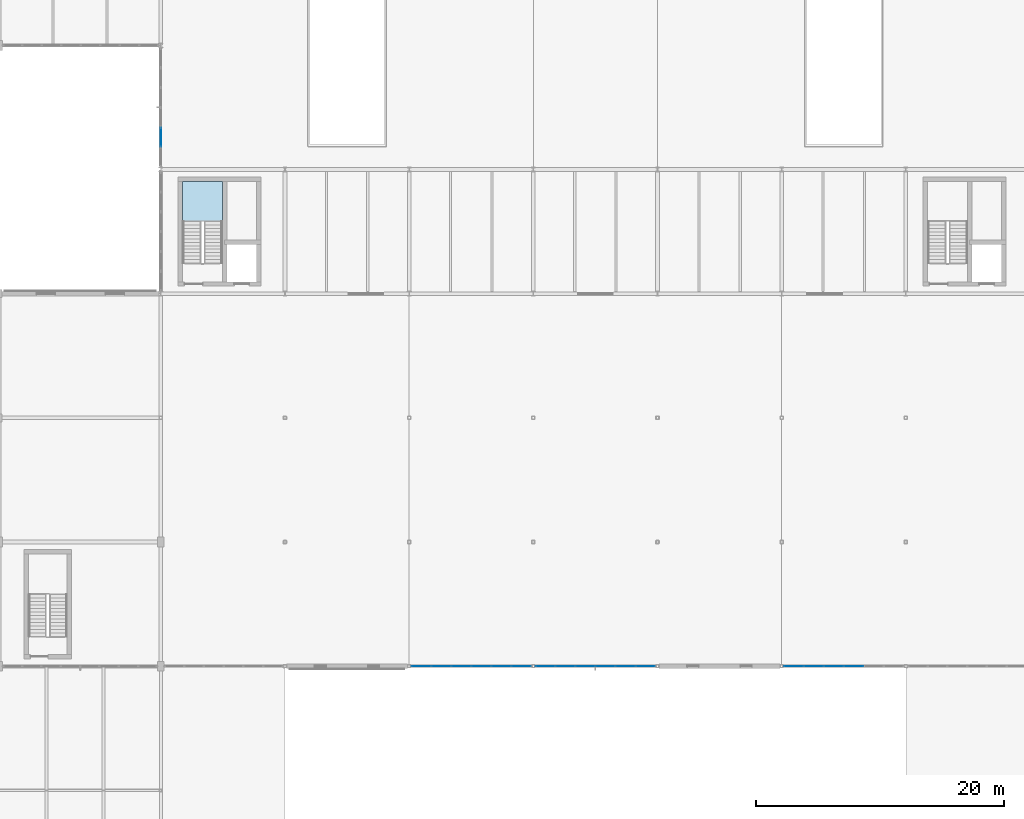
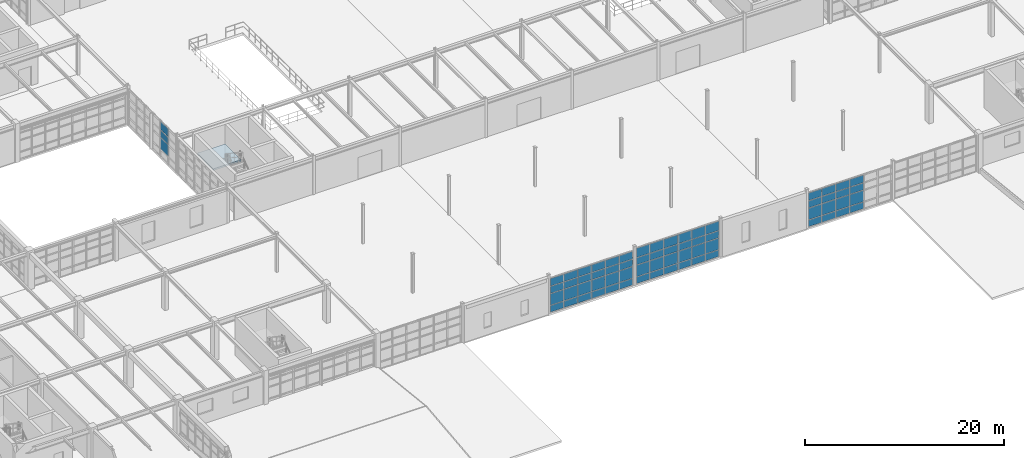
# One storey, part 86 of 139: 67 plates, 1 slab, 5 elements without a shape of their own.
"""IFC4 building model written with IfcOpenShell, lengths in metres."""

from ifc_helpers import new_model, si_unit, direction, frame, origin, origin_2d, place, context, subcontext, project, spatial, polyline, rectangle, outline, extrude, material, layer, layer_set, type_object, element, aggregate, save


model = new_model("IFC4")

# Units and contexts
model_context = context("Model", 3, precision=1e-05, world=origin(), true_north=direction((0.0, 1.0)))
body_context = subcontext(model_context, "Body", "Model", "MODEL_VIEW")
ifc_project = project(units=[si_unit("LENGTHUNIT", "METRE"), si_unit("AREAUNIT", "SQUARE_METRE"), si_unit("VOLUMEUNIT", "CUBIC_METRE"), si_unit("PLANEANGLEUNIT", "RADIAN"), si_unit("MASSUNIT", "GRAM", prefix="KILO"), si_unit("THERMODYNAMICTEMPERATUREUNIT", "KELVIN"), si_unit("POWERUNIT", "WATT")], contexts=[model_context])

# Site, building, storey
site_placement = place(None, origin())
site = spatial("IfcSite", under=ifc_project, at=site_placement, CompositionType="ELEMENT")
building_placement = place(site_placement, origin())
building = spatial("IfcBuilding", under=site, at=building_placement, Name="Korenveer Ferry Terminal", CompositionType="ELEMENT")
storey_placement = place(building_placement, frame((0.0, 0.0, 5.39990234375)))
storey = spatial("IfcBuildingStorey", under=building, at=storey_placement, Name="L01", CompositionType="ELEMENT", Elevation=5.39990234375)

# Curtain wall, plates
ifc_material_1 = material(Name="Unitised bronze-and-glass curtain wall", Category="glass")
ifc_layer_1 = layer(ifc_material_1, 0.159912109375)
ifc_layer_set_1 = layer_set([ifc_layer_1], Name="Unitised bronze-and-glass curtain wall")
curtain_wall_type_1 = type_object("IfcCurtainWallType", Name="ENV-CW-40", PredefinedType="USERDEFINED", material=ifc_layer_set_1)
curtain_wall_1_placement = place(storey_placement, frame((73.155029296875, 20.0, 0.0)))
curtain_wall_1 = element("IfcCurtainWall", 1, at=curtain_wall_1_placement, inside=storey, type_object=curtain_wall_type_1, Name="Lancet curtain wall CWX-L01-X73-83-Y20-20", ObjectType="UNITISED CURTAIN WALL", PredefinedType="USERDEFINED")
ifc_material_2 = material(Name="Low-iron solar-control double glazing", Category="glass")
ifc_layer_2 = layer(ifc_material_2, 0.028076171875)
ifc_layer_set_2 = layer_set([ifc_layer_2], Name="Low-iron solar-control double glazing")
plate_type_1 = type_object("IfcPlateType", Name="ENV-CWP-GLZ28", PredefinedType="CURTAIN_PANEL", material=ifc_layer_set_2)
plate_1_placement = place(storey_placement, frame((73.9775390625, 20.0, 0.06005859375), z_axis=(0.0, 0.0, 1.0), x_axis=(1.0, 0.0, 0.0)))
plate_1 = element("IfcPlate", 2, at=plate_1_placement, type_object=plate_type_1, Name="CW-40 panel 1.1", PredefinedType="CURTAIN_PANEL", context=body_context, shape_type="SweptSolid", body=[
    extrude(rectangle(XDim=1.52490234375, YDim=0.028076171875, at=origin_2d()), origin(), (0.0, 0.0, 1.0), 0.81005859375),
])
plate_2_placement = place(storey_placement, frame((73.9775390625, 20.0, 0.93017578125), z_axis=(0.0, 0.0, 1.0), x_axis=(1.0, 0.0, 0.0)))
plate_2 = element("IfcPlate", 3, at=plate_2_placement, type_object=plate_type_1, Name="CW-40 panel 1.2", PredefinedType="CURTAIN_PANEL", context=body_context, shape_type="SweptSolid", body=[
    extrude(rectangle(XDim=1.52490234375, YDim=0.028076171875, at=origin_2d()), origin(), (0.0, 0.0, 1.0), 1.389892578125),
])
plate_3_placement = place(storey_placement, frame((73.9775390625, 20.0, 2.3798828125), z_axis=(0.0, 0.0, 1.0), x_axis=(1.0, 0.0, 0.0)))
plate_3 = element("IfcPlate", 4, at=plate_3_placement, type_object=plate_type_1, Name="CW-40 panel 1.3", PredefinedType="CURTAIN_PANEL", context=body_context, shape_type="SweptSolid", body=[
    extrude(rectangle(XDim=1.52490234375, YDim=0.028076171875, at=origin_2d()), origin(), (0.0, 0.0, 1.0), 0.840087890625),
])
plate_4_placement = place(storey_placement, frame((73.9775390625, 20.0, 3.280029296875), z_axis=(0.0, 0.0, 1.0), x_axis=(1.0, 0.0, 0.0)))
plate_4 = element("IfcPlate", 5, at=plate_4_placement, type_object=plate_type_1, Name="CW-40 panel 1.4", PredefinedType="CURTAIN_PANEL", context=body_context, shape_type="SweptSolid", body=[
    extrude(rectangle(XDim=1.52490234375, YDim=0.028076171875, at=origin_2d()), origin(), (0.0, 0.0, 1.0), 0.919921875),
])
plate_5_placement = place(storey_placement, frame((75.577392578125, 20.0, 0.06005859375), z_axis=(0.0, 0.0, 1.0), x_axis=(1.0, 0.0, 0.0)))
plate_5 = element("IfcPlate", 6, at=plate_5_placement, type_object=plate_type_1, Name="CW-40 panel 2.1", PredefinedType="CURTAIN_PANEL", context=body_context, shape_type="SweptSolid", body=[
    extrude(rectangle(XDim=1.554931640625, YDim=0.028076171875, at=origin_2d()), origin(), (0.0, 0.0, 1.0), 0.81005859375),
])
plate_6_placement = place(storey_placement, frame((75.577392578125, 20.0, 0.93017578125), z_axis=(0.0, 0.0, 1.0), x_axis=(1.0, 0.0, 0.0)))
plate_6 = element("IfcPlate", 7, at=plate_6_placement, type_object=plate_type_1, Name="CW-40 panel 2.2", PredefinedType="CURTAIN_PANEL", context=body_context, shape_type="SweptSolid", body=[
    extrude(rectangle(XDim=1.554931640625, YDim=0.028076171875, at=origin_2d()), origin(), (0.0, 0.0, 1.0), 1.389892578125),
])
plate_7_placement = place(storey_placement, frame((75.577392578125, 20.0, 2.3798828125), z_axis=(0.0, 0.0, 1.0), x_axis=(1.0, 0.0, 0.0)))
plate_7 = element("IfcPlate", 8, at=plate_7_placement, type_object=plate_type_1, Name="CW-40 panel 2.3", PredefinedType="CURTAIN_PANEL", context=body_context, shape_type="SweptSolid", body=[
    extrude(rectangle(XDim=1.554931640625, YDim=0.028076171875, at=origin_2d()), origin(), (0.0, 0.0, 1.0), 0.840087890625),
])
plate_8_placement = place(storey_placement, frame((75.577392578125, 20.0, 3.280029296875), z_axis=(0.0, 0.0, 1.0), x_axis=(1.0, 0.0, 0.0)))
plate_8 = element("IfcPlate", 9, at=plate_8_placement, type_object=plate_type_1, Name="CW-40 panel 2.4", PredefinedType="CURTAIN_PANEL", context=body_context, shape_type="SweptSolid", body=[
    extrude(rectangle(XDim=1.554931640625, YDim=0.028076171875, at=origin_2d()), origin(), (0.0, 0.0, 1.0), 0.919921875),
])
plate_9_placement = place(storey_placement, frame((77.1923828125, 20.0, 0.06005859375), z_axis=(0.0, 0.0, 1.0), x_axis=(1.0, 0.0, 0.0)))
plate_9 = element("IfcPlate", 10, at=plate_9_placement, type_object=plate_type_1, Name="CW-40 panel 3.1", PredefinedType="CURTAIN_PANEL", context=body_context, shape_type="SweptSolid", body=[
    extrude(rectangle(XDim=1.554931640625, YDim=0.028076171875, at=origin_2d()), origin(), (0.0, 0.0, 1.0), 0.81005859375),
])
plate_10_placement = place(storey_placement, frame((77.1923828125, 20.0, 0.93017578125), z_axis=(0.0, 0.0, 1.0), x_axis=(1.0, 0.0, 0.0)))
plate_10 = element("IfcPlate", 11, at=plate_10_placement, type_object=plate_type_1, Name="CW-40 panel 3.2", PredefinedType="CURTAIN_PANEL", context=body_context, shape_type="SweptSolid", body=[
    extrude(rectangle(XDim=1.554931640625, YDim=0.028076171875, at=origin_2d()), origin(), (0.0, 0.0, 1.0), 1.389892578125),
])
plate_11_placement = place(storey_placement, frame((77.1923828125, 20.0, 2.3798828125), z_axis=(0.0, 0.0, 1.0), x_axis=(1.0, 0.0, 0.0)))
plate_11 = element("IfcPlate", 12, at=plate_11_placement, type_object=plate_type_1, Name="CW-40 panel 3.3", PredefinedType="CURTAIN_PANEL", context=body_context, shape_type="SweptSolid", body=[
    extrude(rectangle(XDim=1.554931640625, YDim=0.028076171875, at=origin_2d()), origin(), (0.0, 0.0, 1.0), 0.840087890625),
])
plate_12_placement = place(storey_placement, frame((77.1923828125, 20.0, 3.280029296875), z_axis=(0.0, 0.0, 1.0), x_axis=(1.0, 0.0, 0.0)))
plate_12 = element("IfcPlate", 13, at=plate_12_placement, type_object=plate_type_1, Name="CW-40 panel 3.4", PredefinedType="CURTAIN_PANEL", context=body_context, shape_type="SweptSolid", body=[
    extrude(rectangle(XDim=1.554931640625, YDim=0.028076171875, at=origin_2d()), origin(), (0.0, 0.0, 1.0), 0.919921875),
])
plate_13_placement = place(storey_placement, frame((78.8076171875, 20.0, 0.06005859375), z_axis=(0.0, 0.0, 1.0), x_axis=(1.0, 0.0, 0.0)))
plate_13 = element("IfcPlate", 14, at=plate_13_placement, type_object=plate_type_1, Name="CW-40 panel 4.1", PredefinedType="CURTAIN_PANEL", context=body_context, shape_type="SweptSolid", body=[
    extrude(rectangle(XDim=1.554931640625, YDim=0.028076171875, at=origin_2d()), origin(), (0.0, 0.0, 1.0), 0.81005859375),
])
plate_14_placement = place(storey_placement, frame((78.8076171875, 20.0, 0.93017578125), z_axis=(0.0, 0.0, 1.0), x_axis=(1.0, 0.0, 0.0)))
plate_14 = element("IfcPlate", 15, at=plate_14_placement, type_object=plate_type_1, Name="CW-40 panel 4.2", PredefinedType="CURTAIN_PANEL", context=body_context, shape_type="SweptSolid", body=[
    extrude(rectangle(XDim=1.554931640625, YDim=0.028076171875, at=origin_2d()), origin(), (0.0, 0.0, 1.0), 1.389892578125),
])
plate_15_placement = place(storey_placement, frame((78.8076171875, 20.0, 2.3798828125), z_axis=(0.0, 0.0, 1.0), x_axis=(1.0, 0.0, 0.0)))
plate_15 = element("IfcPlate", 16, at=plate_15_placement, type_object=plate_type_1, Name="CW-40 panel 4.3", PredefinedType="CURTAIN_PANEL", context=body_context, shape_type="SweptSolid", body=[
    extrude(rectangle(XDim=1.554931640625, YDim=0.028076171875, at=origin_2d()), origin(), (0.0, 0.0, 1.0), 0.840087890625),
])
plate_16_placement = place(storey_placement, frame((78.8076171875, 20.0, 3.280029296875), z_axis=(0.0, 0.0, 1.0), x_axis=(1.0, 0.0, 0.0)))
plate_16 = element("IfcPlate", 17, at=plate_16_placement, type_object=plate_type_1, Name="CW-40 panel 4.4", PredefinedType="CURTAIN_PANEL", context=body_context, shape_type="SweptSolid", body=[
    extrude(rectangle(XDim=1.554931640625, YDim=0.028076171875, at=origin_2d()), origin(), (0.0, 0.0, 1.0), 0.919921875),
])
plate_17_placement = place(storey_placement, frame((80.422607421875, 20.0, 0.06005859375), z_axis=(0.0, 0.0, 1.0), x_axis=(1.0, 0.0, 0.0)))
plate_17 = element("IfcPlate", 18, at=plate_17_placement, type_object=plate_type_1, Name="CW-40 panel 5.1", PredefinedType="CURTAIN_PANEL", context=body_context, shape_type="SweptSolid", body=[
    extrude(rectangle(XDim=1.554931640625, YDim=0.028076171875, at=origin_2d()), origin(), (0.0, 0.0, 1.0), 0.81005859375),
])
plate_18_placement = place(storey_placement, frame((80.422607421875, 20.0, 0.93017578125), z_axis=(0.0, 0.0, 1.0), x_axis=(1.0, 0.0, 0.0)))
plate_18 = element("IfcPlate", 19, at=plate_18_placement, type_object=plate_type_1, Name="CW-40 panel 5.2", PredefinedType="CURTAIN_PANEL", context=body_context, shape_type="SweptSolid", body=[
    extrude(rectangle(XDim=1.554931640625, YDim=0.028076171875, at=origin_2d()), origin(), (0.0, 0.0, 1.0), 1.389892578125),
])
plate_19_placement = place(storey_placement, frame((80.422607421875, 20.0, 2.3798828125), z_axis=(0.0, 0.0, 1.0), x_axis=(1.0, 0.0, 0.0)))
plate_19 = element("IfcPlate", 20, at=plate_19_placement, type_object=plate_type_1, Name="CW-40 panel 5.3", PredefinedType="CURTAIN_PANEL", context=body_context, shape_type="SweptSolid", body=[
    extrude(rectangle(XDim=1.554931640625, YDim=0.028076171875, at=origin_2d()), origin(), (0.0, 0.0, 1.0), 0.840087890625),
])
plate_20_placement = place(storey_placement, frame((80.422607421875, 20.0, 3.280029296875), z_axis=(0.0, 0.0, 1.0), x_axis=(1.0, 0.0, 0.0)))
plate_20 = element("IfcPlate", 21, at=plate_20_placement, type_object=plate_type_1, Name="CW-40 panel 5.4", PredefinedType="CURTAIN_PANEL", context=body_context, shape_type="SweptSolid", body=[
    extrude(rectangle(XDim=1.554931640625, YDim=0.028076171875, at=origin_2d()), origin(), (0.0, 0.0, 1.0), 0.919921875),
])
plate_21_placement = place(storey_placement, frame((82.0224609375, 20.0, 0.06005859375), z_axis=(0.0, 0.0, 1.0), x_axis=(1.0, 0.0, 0.0)))
plate_21 = element("IfcPlate", 22, at=plate_21_placement, type_object=plate_type_1, Name="CW-40 panel 6.1", PredefinedType="CURTAIN_PANEL", context=body_context, shape_type="SweptSolid", body=[
    extrude(rectangle(XDim=1.52490234375, YDim=0.028076171875, at=origin_2d()), origin(), (0.0, 0.0, 1.0), 0.81005859375),
])
plate_22_placement = place(storey_placement, frame((82.0224609375, 20.0, 0.93017578125), z_axis=(0.0, 0.0, 1.0), x_axis=(1.0, 0.0, 0.0)))
plate_22 = element("IfcPlate", 23, at=plate_22_placement, type_object=plate_type_1, Name="CW-40 panel 6.2", PredefinedType="CURTAIN_PANEL", context=body_context, shape_type="SweptSolid", body=[
    extrude(rectangle(XDim=1.52490234375, YDim=0.028076171875, at=origin_2d()), origin(), (0.0, 0.0, 1.0), 1.389892578125),
])
plate_23_placement = place(storey_placement, frame((82.0224609375, 20.0, 2.3798828125), z_axis=(0.0, 0.0, 1.0), x_axis=(1.0, 0.0, 0.0)))
plate_23 = element("IfcPlate", 24, at=plate_23_placement, type_object=plate_type_1, Name="CW-40 panel 6.3", PredefinedType="CURTAIN_PANEL", context=body_context, shape_type="SweptSolid", body=[
    extrude(rectangle(XDim=1.52490234375, YDim=0.028076171875, at=origin_2d()), origin(), (0.0, 0.0, 1.0), 0.840087890625),
])
plate_24_placement = place(storey_placement, frame((82.0224609375, 20.0, 3.280029296875), z_axis=(0.0, 0.0, 1.0), x_axis=(1.0, 0.0, 0.0)))
plate_24 = element("IfcPlate", 25, at=plate_24_placement, type_object=plate_type_1, Name="CW-40 panel 6.4", PredefinedType="CURTAIN_PANEL", context=body_context, shape_type="SweptSolid", body=[
    extrude(rectangle(XDim=1.52490234375, YDim=0.028076171875, at=origin_2d()), origin(), (0.0, 0.0, 1.0), 0.919921875),
])
aggregate(curtain_wall_1, [plate_1, plate_2, plate_3, plate_4, plate_5, plate_6, plate_7, plate_8, plate_9, plate_10, plate_11, plate_12, plate_13, plate_14, plate_15, plate_16, plate_17, plate_18, plate_19, plate_20, plate_21, plate_22, plate_23, plate_24])

ifc_layer_3 = layer(ifc_material_1, 0.159912109375)
ifc_layer_set_3 = layer_set([ifc_layer_3], Name="Unitised bronze-and-glass curtain wall")
curtain_wall_type_2 = type_object("IfcCurtainWallType", Name="ENV-CW-41", PredefinedType="USERDEFINED", material=ifc_layer_set_3)
curtain_wall_2_placement = place(storey_placement, frame((83.155029296875, 20.0, 0.0)))
curtain_wall_2 = element("IfcCurtainWall", 26, at=curtain_wall_2_placement, inside=storey, type_object=curtain_wall_type_2, Name="Lancet curtain wall CWX-L01-X83-93-Y20-20", ObjectType="UNITISED CURTAIN WALL", PredefinedType="USERDEFINED")
plate_25_placement = place(storey_placement, frame((83.9775390625, 20.0, 0.06005859375), z_axis=(0.0, 0.0, 1.0), x_axis=(1.0, 0.0, 0.0)))
plate_25 = element("IfcPlate", 27, at=plate_25_placement, type_object=plate_type_1, Name="CW-41 panel 1.1", PredefinedType="CURTAIN_PANEL", context=body_context, shape_type="SweptSolid", body=[
    extrude(rectangle(XDim=1.52490234375, YDim=0.028076171875, at=origin_2d()), origin(), (0.0, 0.0, 1.0), 0.81005859375),
])
plate_26_placement = place(storey_placement, frame((83.9775390625, 20.0, 0.93017578125), z_axis=(0.0, 0.0, 1.0), x_axis=(1.0, 0.0, 0.0)))
plate_26 = element("IfcPlate", 28, at=plate_26_placement, type_object=plate_type_1, Name="CW-41 panel 1.2", PredefinedType="CURTAIN_PANEL", context=body_context, shape_type="SweptSolid", body=[
    extrude(rectangle(XDim=1.52490234375, YDim=0.028076171875, at=origin_2d()), origin(), (0.0, 0.0, 1.0), 1.389892578125),
])
plate_27_placement = place(storey_placement, frame((83.9775390625, 20.0, 2.3798828125), z_axis=(0.0, 0.0, 1.0), x_axis=(1.0, 0.0, 0.0)))
plate_27 = element("IfcPlate", 29, at=plate_27_placement, type_object=plate_type_1, Name="CW-41 panel 1.3", PredefinedType="CURTAIN_PANEL", context=body_context, shape_type="SweptSolid", body=[
    extrude(rectangle(XDim=1.52490234375, YDim=0.028076171875, at=origin_2d()), origin(), (0.0, 0.0, 1.0), 0.840087890625),
])
plate_28_placement = place(storey_placement, frame((83.9775390625, 20.0, 3.280029296875), z_axis=(0.0, 0.0, 1.0), x_axis=(1.0, 0.0, 0.0)))
plate_28 = element("IfcPlate", 30, at=plate_28_placement, type_object=plate_type_1, Name="CW-41 panel 1.4", PredefinedType="CURTAIN_PANEL", context=body_context, shape_type="SweptSolid", body=[
    extrude(rectangle(XDim=1.52490234375, YDim=0.028076171875, at=origin_2d()), origin(), (0.0, 0.0, 1.0), 1.1201171875),
])
plate_29_placement = place(storey_placement, frame((85.577392578125, 20.0, 0.06005859375), z_axis=(0.0, 0.0, 1.0), x_axis=(1.0, 0.0, 0.0)))
plate_29 = element("IfcPlate", 31, at=plate_29_placement, type_object=plate_type_1, Name="CW-41 panel 2.1", PredefinedType="CURTAIN_PANEL", context=body_context, shape_type="SweptSolid", body=[
    extrude(rectangle(XDim=1.554931640625, YDim=0.028076171875, at=origin_2d()), origin(), (0.0, 0.0, 1.0), 0.81005859375),
])
plate_30_placement = place(storey_placement, frame((85.577392578125, 20.0, 0.93017578125), z_axis=(0.0, 0.0, 1.0), x_axis=(1.0, 0.0, 0.0)))
plate_30 = element("IfcPlate", 32, at=plate_30_placement, type_object=plate_type_1, Name="CW-41 panel 2.2", PredefinedType="CURTAIN_PANEL", context=body_context, shape_type="SweptSolid", body=[
    extrude(rectangle(XDim=1.554931640625, YDim=0.028076171875, at=origin_2d()), origin(), (0.0, 0.0, 1.0), 1.389892578125),
])
plate_31_placement = place(storey_placement, frame((85.577392578125, 20.0, 2.3798828125), z_axis=(0.0, 0.0, 1.0), x_axis=(1.0, 0.0, 0.0)))
plate_31 = element("IfcPlate", 33, at=plate_31_placement, type_object=plate_type_1, Name="CW-41 panel 2.3", PredefinedType="CURTAIN_PANEL", context=body_context, shape_type="SweptSolid", body=[
    extrude(rectangle(XDim=1.554931640625, YDim=0.028076171875, at=origin_2d()), origin(), (0.0, 0.0, 1.0), 0.840087890625),
])
plate_32_placement = place(storey_placement, frame((85.577392578125, 20.0, 3.280029296875), z_axis=(0.0, 0.0, 1.0), x_axis=(1.0, 0.0, 0.0)))
plate_32 = element("IfcPlate", 34, at=plate_32_placement, type_object=plate_type_1, Name="CW-41 panel 2.4", PredefinedType="CURTAIN_PANEL", context=body_context, shape_type="SweptSolid", body=[
    extrude(rectangle(XDim=1.554931640625, YDim=0.028076171875, at=origin_2d()), origin(), (0.0, 0.0, 1.0), 1.1201171875),
])
plate_33_placement = place(storey_placement, frame((87.1923828125, 20.0, 0.06005859375), z_axis=(0.0, 0.0, 1.0), x_axis=(1.0, 0.0, 0.0)))
plate_33 = element("IfcPlate", 35, at=plate_33_placement, type_object=plate_type_1, Name="CW-41 panel 3.1", PredefinedType="CURTAIN_PANEL", context=body_context, shape_type="SweptSolid", body=[
    extrude(rectangle(XDim=1.554931640625, YDim=0.028076171875, at=origin_2d()), origin(), (0.0, 0.0, 1.0), 0.81005859375),
])
plate_34_placement = place(storey_placement, frame((87.1923828125, 20.0, 0.93017578125), z_axis=(0.0, 0.0, 1.0), x_axis=(1.0, 0.0, 0.0)))
plate_34 = element("IfcPlate", 36, at=plate_34_placement, type_object=plate_type_1, Name="CW-41 panel 3.2", PredefinedType="CURTAIN_PANEL", context=body_context, shape_type="SweptSolid", body=[
    extrude(rectangle(XDim=1.554931640625, YDim=0.028076171875, at=origin_2d()), origin(), (0.0, 0.0, 1.0), 1.389892578125),
])
plate_35_placement = place(storey_placement, frame((87.1923828125, 20.0, 2.3798828125), z_axis=(0.0, 0.0, 1.0), x_axis=(1.0, 0.0, 0.0)))
plate_35 = element("IfcPlate", 37, at=plate_35_placement, type_object=plate_type_1, Name="CW-41 panel 3.3", PredefinedType="CURTAIN_PANEL", context=body_context, shape_type="SweptSolid", body=[
    extrude(rectangle(XDim=1.554931640625, YDim=0.028076171875, at=origin_2d()), origin(), (0.0, 0.0, 1.0), 0.840087890625),
])
plate_36_placement = place(storey_placement, frame((87.1923828125, 20.0, 3.280029296875), z_axis=(0.0, 0.0, 1.0), x_axis=(1.0, 0.0, 0.0)))
plate_36 = element("IfcPlate", 38, at=plate_36_placement, type_object=plate_type_1, Name="CW-41 panel 3.4", PredefinedType="CURTAIN_PANEL", context=body_context, shape_type="SweptSolid", body=[
    extrude(rectangle(XDim=1.554931640625, YDim=0.028076171875, at=origin_2d()), origin(), (0.0, 0.0, 1.0), 1.1201171875),
])
plate_37_placement = place(storey_placement, frame((88.8076171875, 20.0, 0.06005859375), z_axis=(0.0, 0.0, 1.0), x_axis=(1.0, 0.0, 0.0)))
plate_37 = element("IfcPlate", 39, at=plate_37_placement, type_object=plate_type_1, Name="CW-41 panel 4.1", PredefinedType="CURTAIN_PANEL", context=body_context, shape_type="SweptSolid", body=[
    extrude(rectangle(XDim=1.554931640625, YDim=0.028076171875, at=origin_2d()), origin(), (0.0, 0.0, 1.0), 0.81005859375),
])
plate_38_placement = place(storey_placement, frame((88.8076171875, 20.0, 0.93017578125), z_axis=(0.0, 0.0, 1.0), x_axis=(1.0, 0.0, 0.0)))
plate_38 = element("IfcPlate", 40, at=plate_38_placement, type_object=plate_type_1, Name="CW-41 panel 4.2", PredefinedType="CURTAIN_PANEL", context=body_context, shape_type="SweptSolid", body=[
    extrude(rectangle(XDim=1.554931640625, YDim=0.028076171875, at=origin_2d()), origin(), (0.0, 0.0, 1.0), 1.389892578125),
])
plate_39_placement = place(storey_placement, frame((88.8076171875, 20.0, 2.3798828125), z_axis=(0.0, 0.0, 1.0), x_axis=(1.0, 0.0, 0.0)))
plate_39 = element("IfcPlate", 41, at=plate_39_placement, type_object=plate_type_1, Name="CW-41 panel 4.3", PredefinedType="CURTAIN_PANEL", context=body_context, shape_type="SweptSolid", body=[
    extrude(rectangle(XDim=1.554931640625, YDim=0.028076171875, at=origin_2d()), origin(), (0.0, 0.0, 1.0), 0.840087890625),
])
plate_40_placement = place(storey_placement, frame((88.8076171875, 20.0, 3.280029296875), z_axis=(0.0, 0.0, 1.0), x_axis=(1.0, 0.0, 0.0)))
plate_40 = element("IfcPlate", 42, at=plate_40_placement, type_object=plate_type_1, Name="CW-41 panel 4.4", PredefinedType="CURTAIN_PANEL", context=body_context, shape_type="SweptSolid", body=[
    extrude(rectangle(XDim=1.554931640625, YDim=0.028076171875, at=origin_2d()), origin(), (0.0, 0.0, 1.0), 1.1201171875),
])
plate_41_placement = place(storey_placement, frame((90.422607421875, 20.0, 0.06005859375), z_axis=(0.0, 0.0, 1.0), x_axis=(1.0, 0.0, 0.0)))
plate_41 = element("IfcPlate", 43, at=plate_41_placement, type_object=plate_type_1, Name="CW-41 panel 5.1", PredefinedType="CURTAIN_PANEL", context=body_context, shape_type="SweptSolid", body=[
    extrude(rectangle(XDim=1.554931640625, YDim=0.028076171875, at=origin_2d()), origin(), (0.0, 0.0, 1.0), 0.81005859375),
])
plate_42_placement = place(storey_placement, frame((90.422607421875, 20.0, 0.93017578125), z_axis=(0.0, 0.0, 1.0), x_axis=(1.0, 0.0, 0.0)))
plate_42 = element("IfcPlate", 44, at=plate_42_placement, type_object=plate_type_1, Name="CW-41 panel 5.2", PredefinedType="CURTAIN_PANEL", context=body_context, shape_type="SweptSolid", body=[
    extrude(rectangle(XDim=1.554931640625, YDim=0.028076171875, at=origin_2d()), origin(), (0.0, 0.0, 1.0), 1.389892578125),
])
plate_43_placement = place(storey_placement, frame((90.422607421875, 20.0, 2.3798828125), z_axis=(0.0, 0.0, 1.0), x_axis=(1.0, 0.0, 0.0)))
plate_43 = element("IfcPlate", 45, at=plate_43_placement, type_object=plate_type_1, Name="CW-41 panel 5.3", PredefinedType="CURTAIN_PANEL", context=body_context, shape_type="SweptSolid", body=[
    extrude(rectangle(XDim=1.554931640625, YDim=0.028076171875, at=origin_2d()), origin(), (0.0, 0.0, 1.0), 0.840087890625),
])
plate_44_placement = place(storey_placement, frame((90.422607421875, 20.0, 3.280029296875), z_axis=(0.0, 0.0, 1.0), x_axis=(1.0, 0.0, 0.0)))
plate_44 = element("IfcPlate", 46, at=plate_44_placement, type_object=plate_type_1, Name="CW-41 panel 5.4", PredefinedType="CURTAIN_PANEL", context=body_context, shape_type="SweptSolid", body=[
    extrude(rectangle(XDim=1.554931640625, YDim=0.028076171875, at=origin_2d()), origin(), (0.0, 0.0, 1.0), 1.1201171875),
])
plate_45_placement = place(storey_placement, frame((92.0224609375, 20.0, 0.06005859375), z_axis=(0.0, 0.0, 1.0), x_axis=(1.0, 0.0, 0.0)))
plate_45 = element("IfcPlate", 47, at=plate_45_placement, type_object=plate_type_1, Name="CW-41 panel 6.1", PredefinedType="CURTAIN_PANEL", context=body_context, shape_type="SweptSolid", body=[
    extrude(rectangle(XDim=1.52490234375, YDim=0.028076171875, at=origin_2d()), origin(), (0.0, 0.0, 1.0), 0.81005859375),
])
plate_46_placement = place(storey_placement, frame((92.0224609375, 20.0, 0.93017578125), z_axis=(0.0, 0.0, 1.0), x_axis=(1.0, 0.0, 0.0)))
plate_46 = element("IfcPlate", 48, at=plate_46_placement, type_object=plate_type_1, Name="CW-41 panel 6.2", PredefinedType="CURTAIN_PANEL", context=body_context, shape_type="SweptSolid", body=[
    extrude(rectangle(XDim=1.52490234375, YDim=0.028076171875, at=origin_2d()), origin(), (0.0, 0.0, 1.0), 1.389892578125),
])
plate_47_placement = place(storey_placement, frame((92.0224609375, 20.0, 2.3798828125), z_axis=(0.0, 0.0, 1.0), x_axis=(1.0, 0.0, 0.0)))
plate_47 = element("IfcPlate", 49, at=plate_47_placement, type_object=plate_type_1, Name="CW-41 panel 6.3", PredefinedType="CURTAIN_PANEL", context=body_context, shape_type="SweptSolid", body=[
    extrude(rectangle(XDim=1.52490234375, YDim=0.028076171875, at=origin_2d()), origin(), (0.0, 0.0, 1.0), 0.840087890625),
])
plate_48_placement = place(storey_placement, frame((92.0224609375, 20.0, 3.280029296875), z_axis=(0.0, 0.0, 1.0), x_axis=(1.0, 0.0, 0.0)))
plate_48 = element("IfcPlate", 50, at=plate_48_placement, type_object=plate_type_1, Name="CW-41 panel 6.4", PredefinedType="CURTAIN_PANEL", context=body_context, shape_type="SweptSolid", body=[
    extrude(rectangle(XDim=1.52490234375, YDim=0.028076171875, at=origin_2d()), origin(), (0.0, 0.0, 1.0), 1.1201171875),
])
aggregate(curtain_wall_2, [plate_25, plate_26, plate_27, plate_28, plate_29, plate_30, plate_31, plate_32, plate_33, plate_34, plate_35, plate_36, plate_37, plate_38, plate_39, plate_40, plate_41, plate_42, plate_43, plate_44, plate_45, plate_46, plate_47, plate_48])

curtain_wall_3_placement = place(storey_placement, frame((103.155029296875, 20.0, 0.0)))
curtain_wall_3 = element("IfcCurtainWall", 51, at=curtain_wall_3_placement, inside=storey, type_object=curtain_wall_type_1, Name="Lancet curtain wall CWX-L01-X103-113-Y20-20", ObjectType="UNITISED CURTAIN WALL", PredefinedType="USERDEFINED")
plate_49_placement = place(storey_placement, frame((103.9775390625, 20.0, 0.06005859375), z_axis=(0.0, 0.0, 1.0), x_axis=(1.0, 0.0, 0.0)))
plate_49 = element("IfcPlate", 52, at=plate_49_placement, type_object=plate_type_1, Name="CW-40 panel 1.1", PredefinedType="CURTAIN_PANEL", context=body_context, shape_type="SweptSolid", body=[
    extrude(rectangle(XDim=1.52490234375, YDim=0.028076171875, at=origin_2d()), origin(), (0.0, 0.0, 1.0), 0.81005859375),
])
plate_50_placement = place(storey_placement, frame((103.9775390625, 20.0, 0.93017578125), z_axis=(0.0, 0.0, 1.0), x_axis=(1.0, 0.0, 0.0)))
plate_50 = element("IfcPlate", 53, at=plate_50_placement, type_object=plate_type_1, Name="CW-40 panel 1.2", PredefinedType="CURTAIN_PANEL", context=body_context, shape_type="SweptSolid", body=[
    extrude(rectangle(XDim=1.52490234375, YDim=0.028076171875, at=origin_2d()), origin(), (0.0, 0.0, 1.0), 1.389892578125),
])
plate_51_placement = place(storey_placement, frame((103.9775390625, 20.0, 2.3798828125), z_axis=(0.0, 0.0, 1.0), x_axis=(1.0, 0.0, 0.0)))
plate_51 = element("IfcPlate", 54, at=plate_51_placement, type_object=plate_type_1, Name="CW-40 panel 1.3", PredefinedType="CURTAIN_PANEL", context=body_context, shape_type="SweptSolid", body=[
    extrude(rectangle(XDim=1.52490234375, YDim=0.028076171875, at=origin_2d()), origin(), (0.0, 0.0, 1.0), 0.840087890625),
])
plate_52_placement = place(storey_placement, frame((103.9775390625, 20.0, 3.280029296875), z_axis=(0.0, 0.0, 1.0), x_axis=(1.0, 0.0, 0.0)))
plate_52 = element("IfcPlate", 55, at=plate_52_placement, type_object=plate_type_1, Name="CW-40 panel 1.4", PredefinedType="CURTAIN_PANEL", context=body_context, shape_type="SweptSolid", body=[
    extrude(rectangle(XDim=1.52490234375, YDim=0.028076171875, at=origin_2d()), origin(), (0.0, 0.0, 1.0), 0.919921875),
])
plate_53_placement = place(storey_placement, frame((105.577392578125, 20.0, 0.06005859375), z_axis=(0.0, 0.0, 1.0), x_axis=(1.0, 0.0, 0.0)))
plate_53 = element("IfcPlate", 56, at=plate_53_placement, type_object=plate_type_1, Name="CW-40 panel 2.1", PredefinedType="CURTAIN_PANEL", context=body_context, shape_type="SweptSolid", body=[
    extrude(rectangle(XDim=1.554931640625, YDim=0.028076171875, at=origin_2d()), origin(), (0.0, 0.0, 1.0), 0.81005859375),
])
plate_54_placement = place(storey_placement, frame((105.577392578125, 20.0, 0.93017578125), z_axis=(0.0, 0.0, 1.0), x_axis=(1.0, 0.0, 0.0)))
plate_54 = element("IfcPlate", 57, at=plate_54_placement, type_object=plate_type_1, Name="CW-40 panel 2.2", PredefinedType="CURTAIN_PANEL", context=body_context, shape_type="SweptSolid", body=[
    extrude(rectangle(XDim=1.554931640625, YDim=0.028076171875, at=origin_2d()), origin(), (0.0, 0.0, 1.0), 1.389892578125),
])
plate_55_placement = place(storey_placement, frame((105.577392578125, 20.0, 2.3798828125), z_axis=(0.0, 0.0, 1.0), x_axis=(1.0, 0.0, 0.0)))
plate_55 = element("IfcPlate", 58, at=plate_55_placement, type_object=plate_type_1, Name="CW-40 panel 2.3", PredefinedType="CURTAIN_PANEL", context=body_context, shape_type="SweptSolid", body=[
    extrude(rectangle(XDim=1.554931640625, YDim=0.028076171875, at=origin_2d()), origin(), (0.0, 0.0, 1.0), 0.840087890625),
])
plate_56_placement = place(storey_placement, frame((105.577392578125, 20.0, 3.280029296875), z_axis=(0.0, 0.0, 1.0), x_axis=(1.0, 0.0, 0.0)))
plate_56 = element("IfcPlate", 59, at=plate_56_placement, type_object=plate_type_1, Name="CW-40 panel 2.4", PredefinedType="CURTAIN_PANEL", context=body_context, shape_type="SweptSolid", body=[
    extrude(rectangle(XDim=1.554931640625, YDim=0.028076171875, at=origin_2d()), origin(), (0.0, 0.0, 1.0), 0.919921875),
])
plate_57_placement = place(storey_placement, frame((107.1923828125, 20.0, 0.06005859375), z_axis=(0.0, 0.0, 1.0), x_axis=(1.0, 0.0, 0.0)))
plate_57 = element("IfcPlate", 60, at=plate_57_placement, type_object=plate_type_1, Name="CW-40 panel 3.1", PredefinedType="CURTAIN_PANEL", context=body_context, shape_type="SweptSolid", body=[
    extrude(rectangle(XDim=1.554931640625, YDim=0.028076171875, at=origin_2d()), origin(), (0.0, 0.0, 1.0), 0.81005859375),
])
plate_58_placement = place(storey_placement, frame((107.1923828125, 20.0, 0.93017578125), z_axis=(0.0, 0.0, 1.0), x_axis=(1.0, 0.0, 0.0)))
plate_58 = element("IfcPlate", 61, at=plate_58_placement, type_object=plate_type_1, Name="CW-40 panel 3.2", PredefinedType="CURTAIN_PANEL", context=body_context, shape_type="SweptSolid", body=[
    extrude(rectangle(XDim=1.554931640625, YDim=0.028076171875, at=origin_2d()), origin(), (0.0, 0.0, 1.0), 1.389892578125),
])
plate_59_placement = place(storey_placement, frame((107.1923828125, 20.0, 2.3798828125), z_axis=(0.0, 0.0, 1.0), x_axis=(1.0, 0.0, 0.0)))
plate_59 = element("IfcPlate", 62, at=plate_59_placement, type_object=plate_type_1, Name="CW-40 panel 3.3", PredefinedType="CURTAIN_PANEL", context=body_context, shape_type="SweptSolid", body=[
    extrude(rectangle(XDim=1.554931640625, YDim=0.028076171875, at=origin_2d()), origin(), (0.0, 0.0, 1.0), 0.840087890625),
])
plate_60_placement = place(storey_placement, frame((107.1923828125, 20.0, 3.280029296875), z_axis=(0.0, 0.0, 1.0), x_axis=(1.0, 0.0, 0.0)))
plate_60 = element("IfcPlate", 63, at=plate_60_placement, type_object=plate_type_1, Name="CW-40 panel 3.4", PredefinedType="CURTAIN_PANEL", context=body_context, shape_type="SweptSolid", body=[
    extrude(rectangle(XDim=1.554931640625, YDim=0.028076171875, at=origin_2d()), origin(), (0.0, 0.0, 1.0), 0.919921875),
])
plate_61_placement = place(storey_placement, frame((108.8076171875, 20.0, 0.06005859375), z_axis=(0.0, 0.0, 1.0), x_axis=(1.0, 0.0, 0.0)))
plate_61 = element("IfcPlate", 64, at=plate_61_placement, type_object=plate_type_1, Name="CW-40 panel 4.1", PredefinedType="CURTAIN_PANEL", context=body_context, shape_type="SweptSolid", body=[
    extrude(rectangle(XDim=1.554931640625, YDim=0.028076171875, at=origin_2d()), origin(), (0.0, 0.0, 1.0), 0.81005859375),
])
plate_62_placement = place(storey_placement, frame((108.8076171875, 20.0, 0.93017578125), z_axis=(0.0, 0.0, 1.0), x_axis=(1.0, 0.0, 0.0)))
plate_62 = element("IfcPlate", 65, at=plate_62_placement, type_object=plate_type_1, Name="CW-40 panel 4.2", PredefinedType="CURTAIN_PANEL", context=body_context, shape_type="SweptSolid", body=[
    extrude(rectangle(XDim=1.554931640625, YDim=0.028076171875, at=origin_2d()), origin(), (0.0, 0.0, 1.0), 1.389892578125),
])
plate_63_placement = place(storey_placement, frame((108.8076171875, 20.0, 2.3798828125), z_axis=(0.0, 0.0, 1.0), x_axis=(1.0, 0.0, 0.0)))
plate_63 = element("IfcPlate", 66, at=plate_63_placement, type_object=plate_type_1, Name="CW-40 panel 4.3", PredefinedType="CURTAIN_PANEL", context=body_context, shape_type="SweptSolid", body=[
    extrude(rectangle(XDim=1.554931640625, YDim=0.028076171875, at=origin_2d()), origin(), (0.0, 0.0, 1.0), 0.840087890625),
])
plate_64_placement = place(storey_placement, frame((108.8076171875, 20.0, 3.280029296875), z_axis=(0.0, 0.0, 1.0), x_axis=(1.0, 0.0, 0.0)))
plate_64 = element("IfcPlate", 67, at=plate_64_placement, type_object=plate_type_1, Name="CW-40 panel 4.4", PredefinedType="CURTAIN_PANEL", context=body_context, shape_type="SweptSolid", body=[
    extrude(rectangle(XDim=1.554931640625, YDim=0.028076171875, at=origin_2d()), origin(), (0.0, 0.0, 1.0), 0.919921875),
])
aggregate(curtain_wall_3, [plate_49, plate_50, plate_51, plate_52, plate_53, plate_54, plate_55, plate_56, plate_57, plate_58, plate_59, plate_60, plate_61, plate_62, plate_63, plate_64])

ifc_layer_4 = layer(ifc_material_1, 0.219970703125)
ifc_layer_set_4 = layer_set([ifc_layer_4], Name="Unitised bronze-and-glass curtain wall")
curtain_wall_type_3 = type_object("IfcCurtainWallType", Name="ENV-CW-69", PredefinedType="USERDEFINED", material=ifc_layer_set_4)
curtain_wall_4_placement = place(storey_placement, frame((53.0, 60.2099609375, 0.0)))
curtain_wall_4 = element("IfcCurtainWall", 68, at=curtain_wall_4_placement, inside=storey, type_object=curtain_wall_type_3, Name="Lancet curtain wall CWX-L01-X53-53-Y60-70", ObjectType="UNITISED CURTAIN WALL", PredefinedType="USERDEFINED")
ifc_material_3 = material(Name="Acoustic laminated marine glazing", Category="glass")
ifc_layer_5 = layer(ifc_material_3, 0.035888671875)
ifc_layer_set_5 = layer_set([ifc_layer_5], Name="Acoustic laminated marine glazing")
plate_type_2 = type_object("IfcPlateType", Name="ENV-CWP-GLZ36", PredefinedType="CURTAIN_PANEL", material=ifc_layer_set_5)
plate_65_placement = place(storey_placement, frame((53.0, 62.60498046875, 0.9375), z_axis=(0.0, 0.0, 1.0), x_axis=(0.0, 1.0, 0.0)))
plate_65 = element("IfcPlate", 69, at=plate_65_placement, type_object=plate_type_2, Name="CW-69 panel 2.2", PredefinedType="CURTAIN_PANEL", context=body_context, shape_type="SweptSolid", body=[
    extrude(rectangle(XDim=1.521728515625, YDim=0.035888671875, at=origin_2d()), origin(), (0.0, 0.0, 1.0), 1.375),
])
plate_66_placement = place(storey_placement, frame((53.0, 62.60498046875, 2.3876953125), z_axis=(0.0, 0.0, 1.0), x_axis=(0.0, 1.0, 0.0)))
plate_66 = element("IfcPlate", 70, at=plate_66_placement, type_object=plate_type_2, Name="CW-69 panel 2.3", PredefinedType="CURTAIN_PANEL", context=body_context, shape_type="SweptSolid", body=[
    extrude(rectangle(XDim=1.521728515625, YDim=0.035888671875, at=origin_2d()), origin(), (0.0, 0.0, 1.0), 0.824951171875),
])
plate_67_placement = place(storey_placement, frame((53.0, 62.60498046875, 3.28759765625), z_axis=(0.0, 0.0, 1.0), x_axis=(0.0, 1.0, 0.0)))
plate_67 = element("IfcPlate", 71, at=plate_67_placement, type_object=plate_type_2, Name="CW-69 panel 2.4", PredefinedType="CURTAIN_PANEL", context=body_context, shape_type="SweptSolid", body=[
    extrude(rectangle(XDim=1.521728515625, YDim=0.035888671875, at=origin_2d()), origin(), (0.0, 0.0, 1.0), 0.99755859375),
])
aggregate(curtain_wall_4, [plate_65, plate_66, plate_67])

# Stair, slab
ifc_material_4 = material(Name="Concrete C40/50", Category="concrete")
stair_type = type_object("IfcStairType", Name="INT-ST-06", PredefinedType="HALF_TURN_STAIR", material=ifc_material_4)
stair_placement = place(storey_placement, frame((57.2099609375, 52.4599609375, 0.0)))
stair = element("IfcStair", 72, at=stair_placement, inside=storey, type_object=stair_type, Name="L01 Departure West Core K5", PredefinedType="HALF_TURN_STAIR")
ifc_layer_6 = layer(ifc_material_4, 0.199951171875)
ifc_layer_set_6 = layer_set([ifc_layer_6], Name="Concrete C40/50")
slab_type = type_object("IfcSlabType", Name="INT-SL-LAND200", PredefinedType="LANDING", material=ifc_layer_set_6)
slab_placement = place(storey_placement, frame((0.0, 0.0, 2.2001953125)))
slab = element("IfcSlab", 73, at=slab_placement, type_object=slab_type, Name="ST05 landing 1", PredefinedType="LANDING", context=body_context, shape_type="SweptSolid", body=[
    extrude(outline(polyline([(57.9599609375, 55.820068359375), (57.9599609375, 59.0400390625), (54.760009765625, 59.0400390625), (54.760009765625, 55.820068359375), (57.9599609375, 55.820068359375)])), origin(), (0.0, 0.0, 1.0), 0.199951171875),
])
aggregate(stair, [slab])

save(model, "model.ifc")
